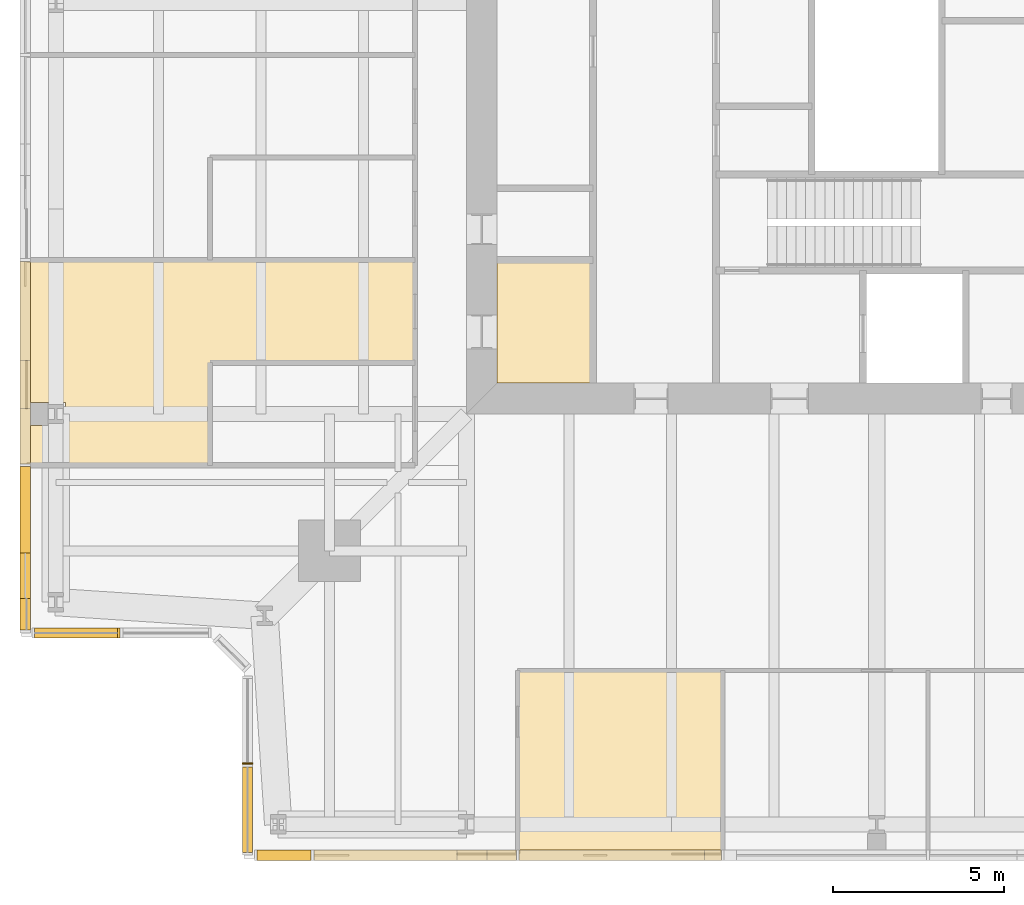
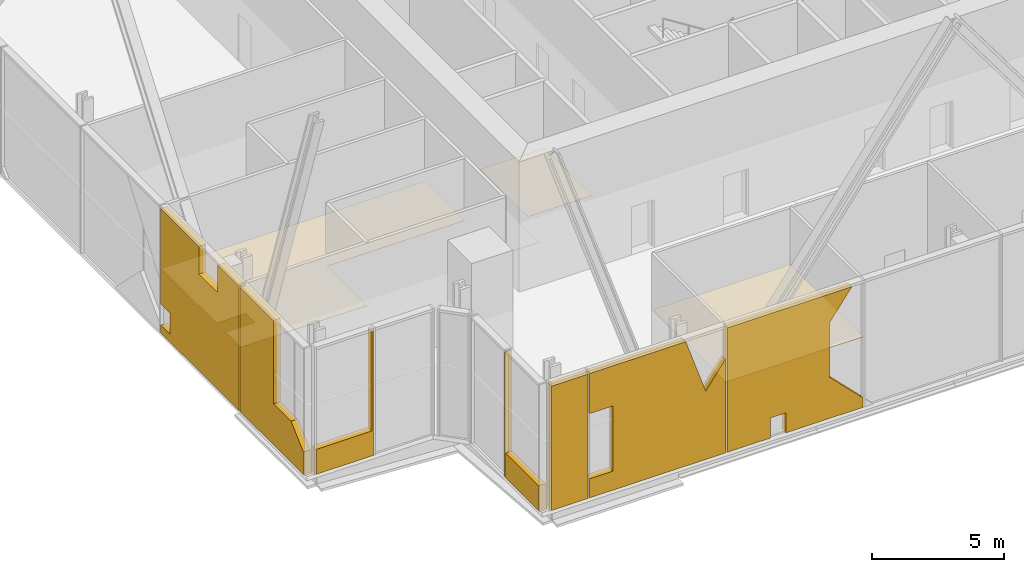
# One storey, part 14 of 20: 11 coverings.
"""IFC4 building model written with IfcOpenShell, lengths in metres."""

from ifc_helpers import new_model, si_unit, direction, frame, origin, place, context, subcontext, project, spatial, polyline, outline, extrude, material, layer, layer_set, type_object, element, save


model = new_model("IFC4")

# Units and contexts
model_context = context("Model", 3, precision=1e-05, world=origin(), true_north=direction((0.0, 1.0)))
body_context = subcontext(model_context, "Body", "Model", "MODEL_VIEW")
ifc_project = project(units=[si_unit("LENGTHUNIT", "METRE"), si_unit("AREAUNIT", "SQUARE_METRE"), si_unit("VOLUMEUNIT", "CUBIC_METRE"), si_unit("PLANEANGLEUNIT", "RADIAN"), si_unit("MASSUNIT", "GRAM", prefix="KILO")], contexts=[model_context])

# Site, building, storey
site_placement = place(None, origin())
site = spatial("IfcSite", under=ifc_project, at=site_placement, CompositionType="ELEMENT")
building_placement = place(site_placement, origin())
building = spatial("IfcBuilding", under=site, at=building_placement, Name="Fenwick Lantern Interchange", CompositionType="ELEMENT")
storey_placement = place(building_placement, frame((0.0, 0.0, 239.800048828125)))
storey = spatial("IfcBuildingStorey", under=building, at=storey_placement, Name="L56", CompositionType="ELEMENT", Elevation=239.800048828125)

# Coverings
ifc_material_1 = material(Name="Mineral fibre acoustic tile on suspended grid")
ifc_layer_1 = layer(ifc_material_1, 0.02001953125)
ifc_layer_set_1 = layer_set([ifc_layer_1], Name="ACOUSTIC TILE CEILING 20")
covering_type_1 = type_object("IfcCoveringType", Name="ACOUSTIC TILE CEILING 20", PredefinedType="CEILING", material=ifc_layer_set_1)
covering_1_placement = place(storey_placement, frame((0.0, 0.0, 2.89990234375)))
element("IfcCovering", 1, at=covering_1_placement, inside=storey, type_object=covering_type_1, Name="Office ceiling", PredefinedType="CEILING", context=body_context, shape_type="SweptSolid", body=[
    extrude(outline(polyline([(0.0, 11.5), (5.5, 11.5), (5.5, 14.5), (11.5, 14.5), (11.5, 17.5), (0.0, 17.5), (0.0, 13.33447265625), (1.27734375, 13.33447265625), (1.27734375, 12.66552734375), (0.0, 12.66552734375), (0.0, 11.5)])), origin(), (0.0, 0.0, 1.0), 0.02001953125),
])
ifc_material_2 = material(Name="Granite cladding, warm grey flamed finish, on aluminium carrier frame", Category="masonry")
ifc_layer_2 = layer(ifc_material_2, 0.300048828125)
ifc_layer_set_2 = layer_set([ifc_layer_2], Name="BRACE CASING PANEL 300")
covering_type_2 = type_object("IfcCoveringType", Name="BRACE CASING PANEL 300", PredefinedType="CLADDING", material=ifc_layer_set_2)
covering_2_placement = place(storey_placement, frame((6.60009765625, 0.10009765625, 0.0), z_axis=(0.0, 0.0, 1.0), x_axis=(1.0, 0.0, 0.0)))
element("IfcCovering", 2, at=covering_2_placement, inside=storey, type_object=covering_type_2, Name="Brace casing 01 bay 00a", PredefinedType="CLADDING", context=body_context, shape_type="SweptSolid", body=[
    extrude(outline(polyline([(0.280029296875, 0.0), (1.860107421875, 0.0), (1.860107421875, 5.72998046875), (0.280029296875, 5.72998046875), (0.280029296875, 0.0)])), frame((0.0, 0.14990234375, 0.0), z_axis=(0.0, -1.0, 0.0), x_axis=(1.0, 0.0, 0.0)), (0.0, 0.0, 1.0), 0.300048828125),
])
covering_3_placement = place(storey_placement, frame((6.60009765625, 0.10009765625, 0.0), z_axis=(0.0, 0.0, 1.0), x_axis=(1.0, 0.0, 0.0)))
element("IfcCovering", 3, at=covering_3_placement, inside=storey, type_object=covering_type_2, Name="Brace casing 01 bay 01a", PredefinedType="CLADDING", context=body_context, shape_type="SweptSolid", body=[
    extrude(outline(polyline([(1.93994140625, 0.0), (7.860107421875, 0.0), (7.860107421875, 4.320068359375), (7.0, 3.152587890625), (6.1298828125, 5.72998046875), (1.93994140625, 5.72998046875), (1.93994140625, 3.8798828125), (2.955078125, 3.8798828125), (2.955078125, 0.879150390625), (1.93994140625, 0.879150390625), (1.93994140625, 0.0)])), frame((0.0, 0.14990234375, 0.0), z_axis=(0.0, -1.0, 0.0), x_axis=(1.0, 0.0, 0.0)), (0.0, 0.0, 1.0), 0.300048828125),
])
covering_4_placement = place(storey_placement, frame((6.60009765625, 0.10009765625, 0.0), z_axis=(0.0, 0.0, 1.0), x_axis=(1.0, 0.0, 0.0)))
element("IfcCovering", 4, at=covering_4_placement, inside=storey, type_object=covering_type_2, Name="Brace casing 01 bay 02a", PredefinedType="CLADDING", context=body_context, shape_type="SweptSolid", body=[
    extrude(outline(polyline([(7.93994140625, 0.0), (9.8291015625, 0.0), (9.8291015625, 0.923095703125), (10.504150390625, 0.923095703125), (10.504150390625, 0.0), (13.860107421875, 0.0), (13.860107421875, 0.435546875), (12.39990234375, 1.8955078125), (12.39990234375, 4.413330078125), (13.36962890625, 5.72998046875), (7.93994140625, 5.72998046875), (7.93994140625, 0.0)])), frame((0.0, 0.14990234375, 0.0), z_axis=(0.0, -1.0, 0.0), x_axis=(1.0, 0.0, 0.0)), (0.0, 0.0, 1.0), 0.300048828125),
])
covering_5_placement = place(storey_placement, frame((0.10009765625, 43.39990234375, 0.0), z_axis=(0.0, 0.0, 1.0), x_axis=(0.0, -1.0, 0.0)))
element("IfcCovering", 5, at=covering_5_placement, inside=storey, type_object=covering_type_2, Name="Brace casing 13 bay 05a", PredefinedType="CLADDING", context=body_context, shape_type="SweptSolid", body=[
    extrude(outline(polyline([(25.93994140625, 0.0), (31.860107421875, 0.0), (31.860107421875, 5.72998046875), (30.241455078125, 5.72998046875), (30.241455078125, 4.460693359375), (28.83642578125, 4.460693359375), (28.83642578125, 5.72998046875), (25.93994140625, 5.72998046875), (25.93994140625, 1.338623046875), (26.6650390625, 1.338623046875), (26.6650390625, 0.35546875), (25.93994140625, 0.35546875), (25.93994140625, 0.0)])), frame((0.0, 0.14990234375, 0.0), z_axis=(0.0, -1.0, 0.0), x_axis=(1.0, 0.0, 0.0)), (0.0, 0.0, 1.0), 0.300048828125),
])
covering_6_placement = place(storey_placement, frame((0.10009765625, 43.39990234375, 0.0), z_axis=(0.0, 0.0, 1.0), x_axis=(0.0, -1.0, 0.0)))
element("IfcCovering", 6, at=covering_6_placement, inside=storey, type_object=covering_type_2, Name="Brace casing 13 bay 06a", PredefinedType="CLADDING", context=body_context, shape_type="SweptSolid", body=[
    extrude(outline(polyline([(31.93994140625, 0.0), (36.719970703125, 0.0), (36.719970703125, 1.0400390625), (35.789306640625, 1.89306640625), (34.47021484375, 1.89306640625), (34.47021484375, 5.72998046875), (31.93994140625, 5.72998046875), (31.93994140625, 0.0)])), frame((0.0, 0.14990234375, 0.0), z_axis=(0.0, -1.0, 0.0), x_axis=(1.0, 0.0, 0.0)), (0.0, 0.0, 1.0), 0.300048828125),
])
covering_7_placement = place(storey_placement, frame((0.10009765625, 6.60009765625, 0.0), z_axis=(0.0, 0.0, 1.0), x_axis=(1.0, 0.0, 0.0)))
element("IfcCovering", 7, at=covering_7_placement, inside=storey, type_object=covering_type_2, Name="Brace casing 14 bay 00a", PredefinedType="CLADDING", context=body_context, shape_type="SweptSolid", body=[
    extrude(outline(polyline([(0.280029296875, 0.0), (2.78076171875, 0.0), (2.78076171875, 5.72998046875), (2.699951171875, 5.72998046875), (2.699951171875, 1.14990234375), (0.280029296875, 1.14990234375), (0.280029296875, 0.0)])), frame((0.0, 0.14990234375, 0.0), z_axis=(0.0, -1.0, 0.0), x_axis=(1.0, 0.0, 0.0)), (0.0, 0.0, 1.0), 0.300048828125),
])
covering_8_placement = place(storey_placement, frame((6.60009765625, 5.54150390625, 0.0), z_axis=(0.0, 0.0, 1.0), x_axis=(0.0, -1.0, 0.0)))
element("IfcCovering", 8, at=covering_8_placement, inside=storey, type_object=covering_type_2, Name="Brace casing 16 bay 00a", PredefinedType="CLADDING", context=body_context, shape_type="SweptSolid", body=[
    extrude(outline(polyline([(2.741455078125, 0.0), (2.78076171875, 0.0), (2.78076171875, 5.72998046875), (2.741455078125, 5.72998046875), (2.741455078125, 0.0)])), frame((0.0, 0.14990234375, 0.0), z_axis=(0.0, -1.0, 0.0), x_axis=(1.0, 0.0, 0.0)), (0.0, 0.0, 1.0), 0.300048828125),
])
covering_9_placement = place(storey_placement, frame((6.60009765625, 5.54150390625, 0.0), z_axis=(0.0, 0.0, 1.0), x_axis=(0.0, -1.0, 0.0)))
element("IfcCovering", 9, at=covering_9_placement, inside=storey, type_object=covering_type_2, Name="Brace casing 16 bay 01a", PredefinedType="CLADDING", context=body_context, shape_type="SweptSolid", body=[
    extrude(outline(polyline([(2.860595703125, 0.0), (5.361328125, 0.0), (5.361328125, 1.14990234375), (2.860595703125, 1.14990234375), (2.860595703125, 0.0)])), frame((0.0, 0.14990234375, 0.0), z_axis=(0.0, -1.0, 0.0), x_axis=(1.0, 0.0, 0.0)), (0.0, 0.0, 1.0), 0.300048828125),
])
ifc_material_3 = material(Name="Moisture resistant gypsum board on suspended frame, painted")
ifc_layer_3 = layer(ifc_material_3, 0.014892578125)
ifc_layer_set_3 = layer_set([ifc_layer_3], Name="MOISTURE RESISTANT CEILING 15")
covering_type_3 = type_object("IfcCoveringType", Name="MOISTURE RESISTANT CEILING 15", PredefinedType="CEILING", material=ifc_layer_set_3)
covering_10_placement = place(storey_placement, frame((0.0, 0.0, 2.599853515625)))
element("IfcCovering", 10, at=covering_10_placement, inside=storey, type_object=covering_type_3, Name="Accessible WC and shower ceiling", PredefinedType="CEILING", context=body_context, shape_type="SweptSolid", body=[
    extrude(outline(polyline([(13.89990234375, 13.89990234375), (16.699951171875, 13.89990234375), (16.699951171875, 17.5), (13.89990234375, 17.5), (13.89990234375, 13.89990234375)])), origin(), (0.0, 0.0, 1.0), 0.01513671875),
])
ifc_material_4 = material(Name="Gypsum plasterboard on suspended frame, painted")
ifc_layer_4 = layer(ifc_material_4, 0.014892578125)
ifc_layer_set_4 = layer_set([ifc_layer_4], Name="PLASTERBOARD CEILING 15")
covering_type_4 = type_object("IfcCoveringType", Name="PLASTERBOARD CEILING 15", PredefinedType="CEILING", material=ifc_layer_set_4)
covering_11_placement = place(storey_placement, frame((0.0, 0.0, 3.199951171875)))
element("IfcCovering", 11, at=covering_11_placement, inside=storey, type_object=covering_type_4, Name="Hotel reception ceiling", PredefinedType="CEILING", context=body_context, shape_type="SweptSolid", body=[
    extrude(outline(polyline([(14.5, 0.0), (20.5, 0.0), (20.5, 5.5), (14.5, 5.5), (14.5, 0.0)])), origin(), (0.0, 0.0, 1.0), 0.014892578125),
])

save(model, "model.ifc")
